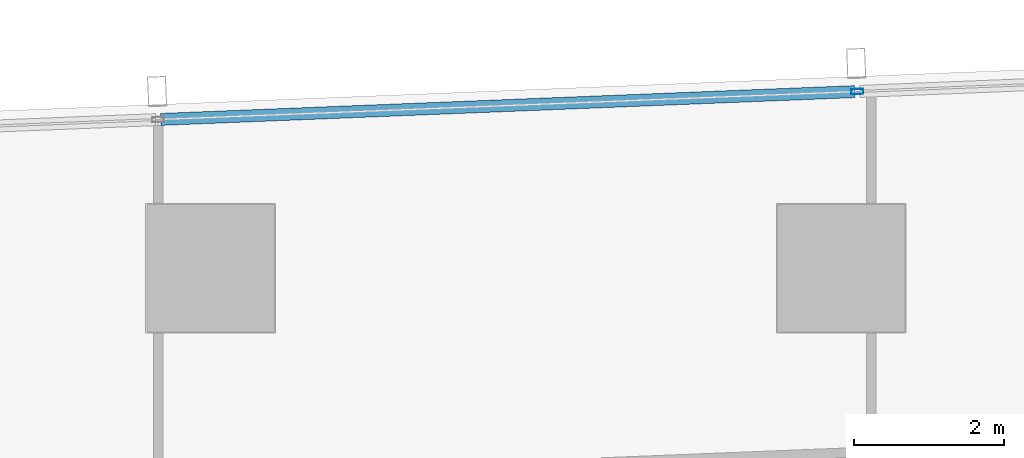
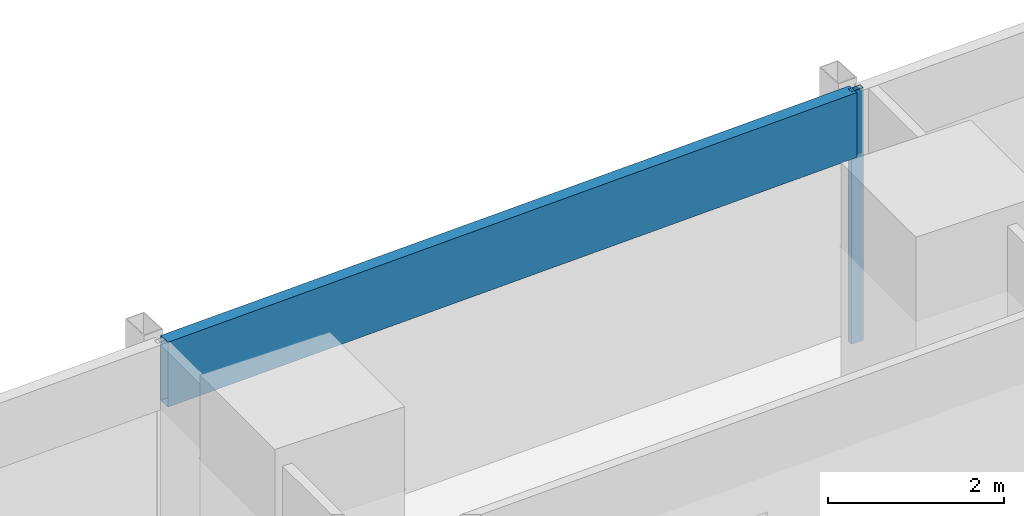
# One storey, part 14 of 38: 2 members, 1 element without a shape of its own.
"""IFC4 building model written with IfcOpenShell, lengths in metres."""

from ifc_helpers import new_model, si_unit, direction, frame, origin, origin_2d, place, context, subcontext, project, spatial, hollow_rectangle, extrude, material, material_profile, profile_set, type_object, element, aggregate, save


model = new_model("IFC4")

# Units and contexts
model_context = context("Model", 3, precision=1e-05, world=origin(), true_north=direction((0.0, 1.0)))
body_context = subcontext(model_context, "Body", "Model", "MODEL_VIEW")
ifc_project = project(units=[si_unit("LENGTHUNIT", "METRE"), si_unit("AREAUNIT", "SQUARE_METRE"), si_unit("VOLUMEUNIT", "CUBIC_METRE"), si_unit("PLANEANGLEUNIT", "RADIAN"), si_unit("MASSUNIT", "GRAM", prefix="KILO")], contexts=[model_context])

# Site, building, storey
site_placement = place(None, origin())
site = spatial("IfcSite", under=ifc_project, at=site_placement, CompositionType="ELEMENT")
building_placement = place(site_placement, origin())
building = spatial("IfcBuilding", under=site, at=building_placement, Name="Rekha Terrace Tower", CompositionType="ELEMENT")
storey_placement = place(building_placement, frame((0.0, 0.0, 114.050048828125)))
storey = spatial("IfcBuildingStorey", under=building, at=storey_placement, Name="L28", CompositionType="ELEMENT", Elevation=114.050048828125)

# Curtain wall, members
ifc_material_1 = material(Name="Aluminium framing", Category="aluminium")
curtain_wall_type = type_object("IfcCurtainWallType", Name="CW3 north unitised glazing", PredefinedType="USERDEFINED", material=ifc_material_1)
curtain_wall_placement = place(storey_placement, origin())
curtain_wall = element("IfcCurtainWall", 1, at=curtain_wall_placement, inside=storey, type_object=curtain_wall_type, Name="CW3 unitised curtain wall", ObjectType="UNITISED CURTAIN WALL", PredefinedType="USERDEFINED")
ifc_material_2 = material(Name="Aluminium mullion section", Category="aluminium")
ifc_material_profile_1 = material_profile(ifc_material_2, hollow_rectangle(XDim=0.070068359375, YDim=0.159912109375, WallThickness=0.00390625, at=origin_2d()), Name="AL RHS 70x160")
ifc_profile_set_1 = profile_set([ifc_material_profile_1], Name="Aluminium mullion section")
member_type_1 = type_object("IfcMemberType", Name="CW3 mullion RHS 70 x 160", PredefinedType="MULLION", material=ifc_profile_set_1)
member_1_placement = place(storey_placement, frame((25.413818359375, 61.153564453125, 0.0), z_axis=(0.0, 0.0, 1.0), x_axis=(0.040031987119, -0.999198398721, 0.0)))
member_1 = element("IfcMember", 2, at=member_1_placement, type_object=member_type_1, Name="CW3 mullion 3", PredefinedType="MULLION", context=body_context, shape_type="SweptSolid", body=[
    extrude(hollow_rectangle(XDim=0.070068359375, YDim=0.159912109375, WallThickness=0.00390625, at=origin_2d()), origin(), (0.0, 0.0, 1.0), 3.5),
])
ifc_material_3 = material(Name="Insulated aluminium spandrel box", Category="aluminium")
ifc_material_profile_2 = material_profile(ifc_material_3, hollow_rectangle(XDim=0.159912109375, YDim=0.89990234375, WallThickness=0.0029296875, at=origin_2d()), Name="AL SPANDREL BOX 160x900")
ifc_profile_set_2 = profile_set([ifc_material_profile_2], Name="Insulated aluminium spandrel box")
member_type_2 = type_object("IfcMemberType", Name="CW3 spandrel transom 160 x 900", PredefinedType="USERDEFINED", material=ifc_profile_set_2)
member_2_placement = place(storey_placement, frame((25.37890625, 61.152099609375, 3.050048828125), z_axis=(-0.999199102424, -0.040014418831, 0.0), x_axis=(0.040014418831, -0.999199102424, 0.0)))
member_2 = element("IfcMember", 3, at=member_2_placement, type_object=member_type_2, Name="CW3 spandrel transom 3", ObjectType="TRANSOM", PredefinedType="USERDEFINED", context=body_context, shape_type="SweptSolid", body=[
    extrude(hollow_rectangle(XDim=0.159912109375, YDim=0.89990234375, WallThickness=0.0029296875, at=origin_2d()), origin(), (0.0, 0.0, 1.0), 9.24951171875),
])
aggregate(curtain_wall, [member_1, member_2])

save(model, "model.ifc")
